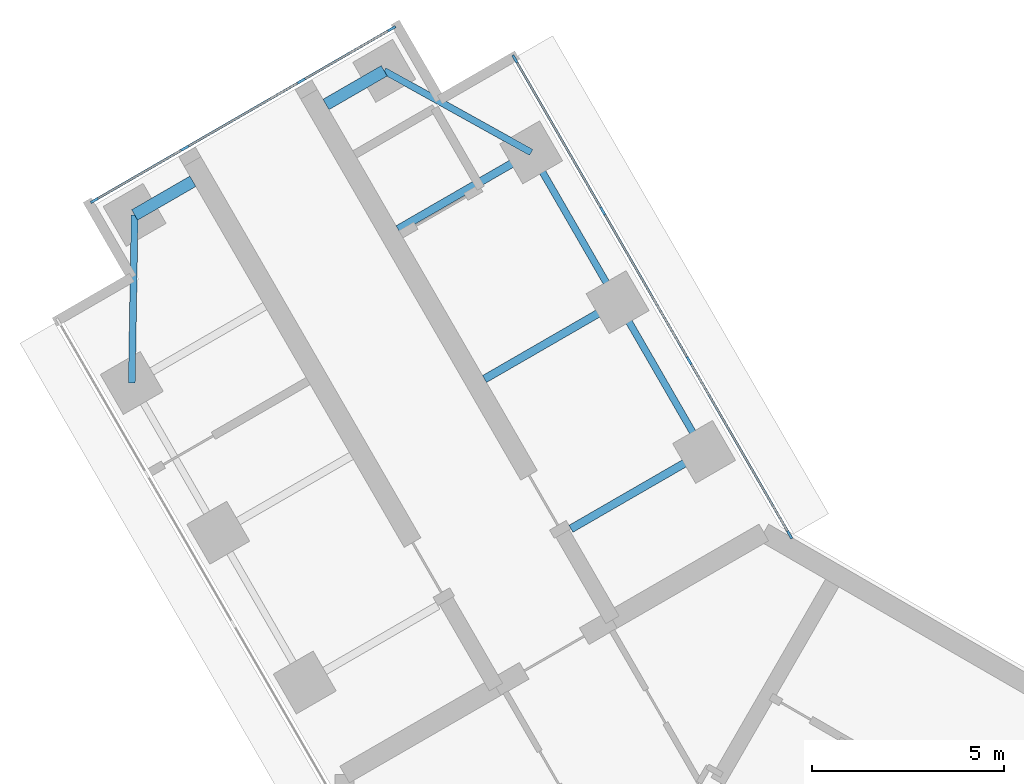
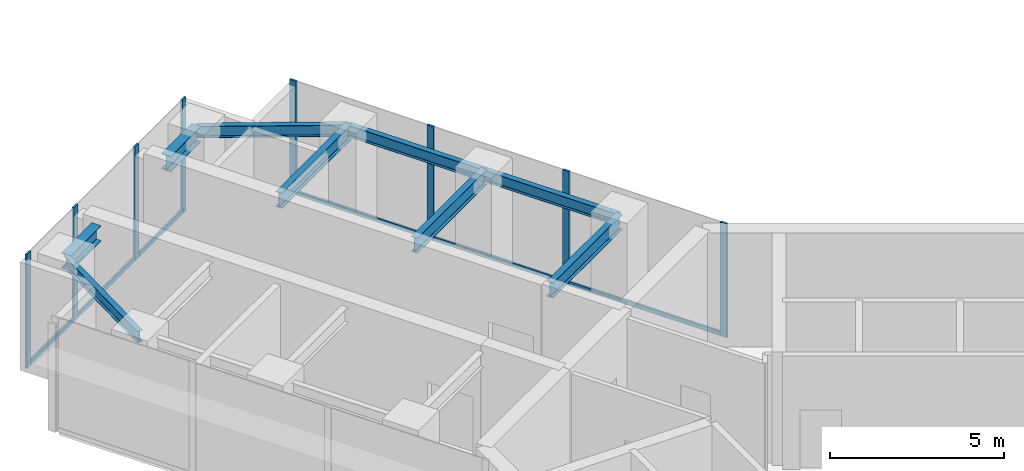
# One storey, part 6 of 17: 14 members, 9 beams, 2 elements without a shape of their own.
"""IFC4 building model written with IfcOpenShell, lengths in metres."""

from ifc_helpers import new_model, si_unit, direction, frame, origin, origin_2d, place, context, subcontext, project, spatial, rectangle, i_section, extrude, material, material_profile, profile_set, type_object, element, aggregate, save


model = new_model("IFC4")

# Units and contexts
model_context = context("Model", 3, precision=1e-05, world=origin(), true_north=direction((0.0, 1.0)))
body_context = subcontext(model_context, "Body", "Model", "MODEL_VIEW")
ifc_project = project(units=[si_unit("LENGTHUNIT", "METRE"), si_unit("AREAUNIT", "SQUARE_METRE"), si_unit("VOLUMEUNIT", "CUBIC_METRE"), si_unit("PLANEANGLEUNIT", "RADIAN"), si_unit("MASSUNIT", "GRAM", prefix="KILO")], contexts=[model_context])

# Site, building, storey
site_placement = place(None, origin())
site = spatial("IfcSite", under=ifc_project, at=site_placement, CompositionType="ELEMENT")
building_placement = place(site_placement, origin())
building = spatial("IfcBuilding", under=site, at=building_placement, Name="Upepo Twin Towers", CompositionType="ELEMENT")
storey_placement = place(building_placement, frame((0.0, 0.0, 174.5)))
storey = spatial("IfcBuildingStorey", under=building, at=storey_placement, Name="L42", CompositionType="ELEMENT", Elevation=174.5)

# Beams
ifc_material_1 = material(Name="Steel S355", Category="steel")
ifc_material_profile_1 = material_profile(ifc_material_1, i_section(OverallWidth=0.177978515625, OverallDepth=0.406494140625, WebThickness=0.0078125, FlangeThickness=0.0126953125, FilletRadius=0.01025390625, at=origin_2d()), Name="UB 406x178x60")
ifc_profile_set_1 = profile_set([ifc_material_profile_1], Name="Steel S355")
beam_type_1 = type_object("IfcBeamType", Name="Beam UB 406x178x60", PredefinedType="BEAM", material=ifc_profile_set_1)
beam_1_placement = place(storey_placement, frame((-16.446044921875, 16.485595703125, 3.5966796875), z_axis=(0.016803880528, 0.999858804832, 0.0), x_axis=(-0.999858804832, 0.016803880528, 0.0)))
element("IfcBeam", 1, at=beam_1_placement, inside=storey, type_object=beam_type_1, Name="T1 nose edge beam BL", PredefinedType="BEAM", context=body_context, shape_type="SweptSolid", body=[
    extrude(i_section(OverallWidth=0.177978515625, OverallDepth=0.406494140625, WebThickness=0.0078125, FlangeThickness=0.0126953125, FilletRadius=0.01025390625, at=origin_2d()), origin(), (0.0, 0.0, 1.0), 4.373291015625),
])
beam_2_placement = place(storey_placement, frame((-1.553955078125, 14.69140625, 3.5966796875), z_axis=(-0.500013631625, 0.866017533419, 0.0), x_axis=(-0.866017533419, -0.500013631625, 0.0)))
element("IfcBeam", 2, at=beam_2_placement, inside=storey, type_object=beam_type_1, Name="T1 edge beam BR 13.5-18.0", PredefinedType="BEAM", context=body_context, shape_type="SweptSolid", body=[
    extrude(i_section(OverallWidth=0.177978515625, OverallDepth=0.406494140625, WebThickness=0.0078125, FlangeThickness=0.0126953125, FilletRadius=0.01025390625, at=origin_2d()), origin(), (0.0, 0.0, 1.0), 4.499755859375),
])
beam_3_placement = place(storey_placement, frame((-3.803955078125, 18.58837890625, 3.5966796875), z_axis=(-0.499990139034, 0.866031096941, 0.0), x_axis=(-0.866031096941, -0.499990139034, 0.0)))
element("IfcBeam", 3, at=beam_3_placement, inside=storey, type_object=beam_type_1, Name="T1 edge beam BR 18.0-22.5", PredefinedType="BEAM", context=body_context, shape_type="SweptSolid", body=[
    extrude(i_section(OverallWidth=0.177978515625, OverallDepth=0.406494140625, WebThickness=0.0078125, FlangeThickness=0.0126953125, FilletRadius=0.01025390625, at=origin_2d()), origin(), (0.0, 0.0, 1.0), 4.5),
])
beam_4_placement = place(storey_placement, frame((-6.053955078125, 22.485595703125, 3.5966796875), z_axis=(-0.874312600038, 0.485363242752, 0.0), x_axis=(-0.485363242752, -0.874312600038, 0.0)))
element("IfcBeam", 4, at=beam_4_placement, inside=storey, type_object=beam_type_1, Name="T1 nose edge beam BR", PredefinedType="BEAM", context=body_context, shape_type="SweptSolid", body=[
    extrude(i_section(OverallWidth=0.177978515625, OverallDepth=0.406494140625, WebThickness=0.0078125, FlangeThickness=0.0126953125, FilletRadius=0.01025390625, at=origin_2d()), origin(), (0.0, 0.0, 1.0), 4.373046875),
])
ifc_material_2 = material(Name="Steel S355", Category="steel")
ifc_material_profile_2 = material_profile(ifc_material_2, i_section(OverallWidth=0.209228515625, OverallDepth=0.533203125, WebThickness=0.010009765625, FlangeThickness=0.015625, FilletRadius=0.0126953125, at=origin_2d()), Name="UB 533x210x92")
ifc_profile_set_2 = profile_set([ifc_material_profile_2], Name="Steel S355")
beam_type_2 = type_object("IfcBeamType", Name="Beam UB 533x210x92", PredefinedType="BEAM", material=ifc_profile_set_2)
for number, where, z_axis, x_axis, name in (
    (5, (-1.553955078125, 14.69140625, 3.533447265625), (-0.866026010844, -0.49999894854, 0.0), (0.49999894854, -0.866026010844, 0.0), "T1 girder BR at 13.5"),
    (6, (-3.803955078125, 18.58837890625, 3.533447265625), (-0.866026010844, -0.49999894854, 0.0), (0.49999894854, -0.866026010844, 0.0), "T1 girder BR at 18.0"),
    (7, (-6.053955078125, 22.485595703125, 3.533447265625), (-0.866026010844, -0.49999894854, 0.0), (0.49999894854, -0.866026010844, 0.0), "T1 girder BR at 22.5"),
):
    element("IfcBeam", number, at=place(storey_placement, frame(where, z_axis=z_axis, x_axis=x_axis)), inside=storey, type_object=beam_type_2, Name=name, PredefinedType="BEAM", context=body_context, shape_type="SweptSolid", body=[
        extrude(i_section(OverallWidth=0.209228515625, OverallDepth=0.533203125, WebThickness=0.010009765625, FlangeThickness=0.015625, FilletRadius=0.0126953125, at=origin_2d()), origin(), (0.0, 0.0, 1.0), 4.0),
    ])
ifc_material_3 = material(Name="Steel S355", Category="steel")
ifc_material_profile_3 = material_profile(ifc_material_3, i_section(OverallWidth=0.31201171875, OverallDepth=0.54345703125, WebThickness=0.0126953125, FlangeThickness=0.020263671875, FilletRadius=0.0126953125, at=origin_2d()), Name="UB 533x312x150")
ifc_profile_set_3 = profile_set([ifc_material_profile_3], Name="Steel S355")
beam_type_3 = type_object("IfcBeamType", Name="Beam UB 533x312x150", PredefinedType="BEAM", material=ifc_profile_set_3)
for number, where, z_axis, x_axis, name in (
    (8, (-16.37255859375, 20.858154296875, 3.5283203125), (0.866036909293, 0.499980071345, 0.0), (-0.499980071345, 0.866036909293, 0.0), "T1 nose beam BL"),
    (9, (-9.87744140625, 24.608154296875, 3.5283203125), (-0.866036909293, -0.499980071345, 0.0), (0.499980071345, -0.866036909293, 0.0), "T1 nose beam BR"),
):
    element("IfcBeam", number, at=place(storey_placement, frame(where, z_axis=z_axis, x_axis=x_axis)), inside=storey, type_object=beam_type_3, Name=name, PredefinedType="BEAM", context=body_context, shape_type="SweptSolid", body=[
        extrude(i_section(OverallWidth=0.31201171875, OverallDepth=0.54345703125, WebThickness=0.0126953125, FlangeThickness=0.020263671875, FilletRadius=0.0126953125, at=origin_2d()), origin(), (0.0, 0.0, 1.0), 1.75),
    ])

# Curtain wall, members
ifc_material_4 = material(Name="Aluminium and fritted glass", Category="aluminium")
curtain_wall_type = type_object("IfcCurtainWallType", Name="Tower curtain wall TW3, fritted glass", PredefinedType="NOTDEFINED", material=ifc_material_4)
curtain_wall_1_placement = place(storey_placement, origin())
curtain_wall_1 = element("IfcCurtainWall", 10, at=curtain_wall_1_placement, inside=storey, type_object=curtain_wall_type, Name="T1 L42 wing B flank R curtain wall", PredefinedType="NOTDEFINED")
ifc_material_5 = material(Name="Aluminium mullion", Category="aluminium")
ifc_material_profile_4 = material_profile(ifc_material_5, rectangle(XDim=0.06494140625, YDim=0.22509765625, at=origin_2d()), Name="MULLION 65x225")
ifc_profile_set_4 = profile_set([ifc_material_profile_4], Name="Aluminium mullion")
member_type_1 = type_object("IfcMemberType", Name="Mullion 65x225 TW3", PredefinedType="MULLION", material=ifc_profile_set_4)
member_1_placement = place(storey_placement, frame((-6.4765625, 24.91748046875, 0.0), z_axis=(0.0, 0.0, 1.0), x_axis=(0.866025388469, 0.500000026527, 0.0)))
member_1 = element("IfcMember", 11, at=member_1_placement, type_object=member_type_1, Name="T1 L42 wing B flank R curtain wall mullion 1", PredefinedType="MULLION", context=body_context, shape_type="SweptSolid", body=[
    extrude(rectangle(XDim=0.06494140625, YDim=0.22509765625, at=origin_2d()), origin(), (0.0, 0.0, 1.0), 4.0),
])
member_2_placement = place(storey_placement, frame((-4.192626953125, 20.9619140625, 0.0), z_axis=(0.0, 0.0, 1.0), x_axis=(0.866025388469, 0.500000026527, 0.0)))
member_2 = element("IfcMember", 12, at=member_2_placement, type_object=member_type_1, Name="T1 L42 wing B flank R curtain wall mullion 2", PredefinedType="MULLION", context=body_context, shape_type="SweptSolid", body=[
    extrude(rectangle(XDim=0.06494140625, YDim=0.22509765625, at=origin_2d()), origin(), (0.0, 0.0, 1.0), 4.0),
])
member_3_placement = place(storey_placement, frame((-1.942626953125, 17.06494140625, 0.0), z_axis=(0.0, 0.0, 1.0), x_axis=(0.866025388469, 0.500000026527, 0.0)))
member_3 = element("IfcMember", 13, at=member_3_placement, type_object=member_type_1, Name="T1 L42 wing B flank R curtain wall mullion 3", PredefinedType="MULLION", context=body_context, shape_type="SweptSolid", body=[
    extrude(rectangle(XDim=0.06494140625, YDim=0.22509765625, at=origin_2d()), origin(), (0.0, 0.0, 1.0), 4.0),
])
member_4_placement = place(storey_placement, frame((0.67236328125, 12.53515625, 0.0), z_axis=(0.0, 0.0, 1.0), x_axis=(0.866025388469, 0.500000026527, 0.0)))
member_4 = element("IfcMember", 14, at=member_4_placement, type_object=member_type_1, Name="T1 L42 wing B flank R curtain wall mullion 4", PredefinedType="MULLION", context=body_context, shape_type="SweptSolid", body=[
    extrude(rectangle(XDim=0.06494140625, YDim=0.22509765625, at=origin_2d()), origin(), (0.0, 0.0, 1.0), 4.0),
])

curtain_wall_2_placement = place(storey_placement, origin())
curtain_wall_2 = element("IfcCurtainWall", 15, at=curtain_wall_2_placement, inside=storey, type_object=curtain_wall_type, Name="T1 L42 wing B nose curtain wall", PredefinedType="NOTDEFINED")
member_5_placement = place(storey_placement, frame((-9.68115234375, 25.703125, 0.0), z_axis=(0.0, 0.0, 1.0), x_axis=(0.500000030502, -0.866025386174, 0.0)))
member_5 = element("IfcMember", 16, at=member_5_placement, type_object=member_type_1, Name="T1 L42 wing B nose curtain wall mullion 1", PredefinedType="MULLION", context=body_context, shape_type="SweptSolid", body=[
    extrude(rectangle(XDim=0.06494140625, YDim=0.22509765625, at=origin_2d()), origin(), (0.0, 0.0, 1.0), 4.0),
])
member_6_placement = place(storey_placement, frame((-12.034423828125, 24.34423828125, 0.0), z_axis=(0.0, 0.0, 1.0), x_axis=(0.500000030502, -0.866025386174, 0.0)))
member_6 = element("IfcMember", 17, at=member_6_placement, type_object=member_type_1, Name="T1 L42 wing B nose curtain wall mullion 2", PredefinedType="MULLION", context=body_context, shape_type="SweptSolid", body=[
    extrude(rectangle(XDim=0.06494140625, YDim=0.22509765625, at=origin_2d()), origin(), (0.0, 0.0, 1.0), 4.0),
])
member_7_placement = place(storey_placement, frame((-15.0654296875, 22.59423828125, 0.0), z_axis=(0.0, 0.0, 1.0), x_axis=(0.500000030502, -0.866025386174, 0.0)))
member_7 = element("IfcMember", 18, at=member_7_placement, type_object=member_type_1, Name="T1 L42 wing B nose curtain wall mullion 3", PredefinedType="MULLION", context=body_context, shape_type="SweptSolid", body=[
    extrude(rectangle(XDim=0.06494140625, YDim=0.22509765625, at=origin_2d()), origin(), (0.0, 0.0, 1.0), 4.0),
])
member_8_placement = place(storey_placement, frame((-17.4189453125, 21.235595703125, 0.0), z_axis=(0.0, 0.0, 1.0), x_axis=(0.500000030502, -0.866025386174, 0.0)))
member_8 = element("IfcMember", 19, at=member_8_placement, type_object=member_type_1, Name="T1 L42 wing B nose curtain wall mullion 4", PredefinedType="MULLION", context=body_context, shape_type="SweptSolid", body=[
    extrude(rectangle(XDim=0.06494140625, YDim=0.22509765625, at=origin_2d()), origin(), (0.0, 0.0, 1.0), 4.0),
])

# Member
ifc_material_6 = material(Name="Aluminium transom", Category="aluminium")
ifc_material_profile_5 = material_profile(ifc_material_6, rectangle(XDim=0.06494140625, YDim=0.14990234375, at=origin_2d()), Name="TRANSOM 65x150")
ifc_profile_set_5 = profile_set([ifc_material_profile_5], Name="Aluminium transom")
member_type_2 = type_object("IfcMemberType", Name="Transom 65x150 TW3", PredefinedType="USERDEFINED", material=ifc_profile_set_5)
member_9_placement = place(storey_placement, frame((-6.460205078125, 24.889404296875, 0.074951171875), z_axis=(0.500005646842, -0.866022143554, 0.0), x_axis=(0.866022143554, 0.500005646842, 0.0)))
member_9 = element("IfcMember", 20, at=member_9_placement, type_object=member_type_2, Name="T1 L42 wing B flank R curtain wall transom 1", ObjectType="TRANSOM", PredefinedType="USERDEFINED", context=body_context, shape_type="SweptSolid", body=[
    extrude(rectangle(XDim=0.06494140625, YDim=0.14990234375, at=origin_2d()), origin(), (0.0, 0.0, 1.0), 4.50244140625),
])

member_10_placement = place(storey_placement, frame((-4.176513671875, 20.933837890625, 0.074951171875), z_axis=(0.500005184116, -0.866022410713, 0.0), x_axis=(0.866022410713, 0.500005184116, 0.0)))
member_10 = element("IfcMember", 21, at=member_10_placement, type_object=member_type_2, Name="T1 L42 wing B flank R curtain wall transom 2", ObjectType="TRANSOM", PredefinedType="USERDEFINED", context=body_context, shape_type="SweptSolid", body=[
    extrude(rectangle(XDim=0.06494140625, YDim=0.14990234375, at=origin_2d()), origin(), (0.0, 0.0, 1.0), 4.43505859375),
])

member_11_placement = place(storey_placement, frame((-1.926513671875, 17.036865234375, 0.074951171875), z_axis=(0.500007480159, -0.86602108507, 0.0), x_axis=(0.86602108507, 0.500007480159, 0.0)))
member_11 = element("IfcMember", 22, at=member_11_placement, type_object=member_type_2, Name="T1 L42 wing B flank R curtain wall transom 3", ObjectType="TRANSOM", PredefinedType="USERDEFINED", context=body_context, shape_type="SweptSolid", body=[
    extrude(rectangle(XDim=0.06494140625, YDim=0.14990234375, at=origin_2d()), origin(), (0.0, 0.0, 1.0), 5.16552734375),
])

aggregate(curtain_wall_1, [member_1, member_2, member_3, member_4, member_9, member_10, member_11])

member_12_placement = place(storey_placement, frame((-9.709228515625, 25.686767578125, 0.074951171875), z_axis=(-0.866036909293, -0.499980071345, 0.0), x_axis=(0.499980071345, -0.866036909293, 0.0)))
member_12 = element("IfcMember", 23, at=member_12_placement, type_object=member_type_2, Name="T1 L42 wing B nose curtain wall transom 1", ObjectType="TRANSOM", PredefinedType="USERDEFINED", context=body_context, shape_type="SweptSolid", body=[
    extrude(rectangle(XDim=0.06494140625, YDim=0.14990234375, at=origin_2d()), origin(), (0.0, 0.0, 1.0), 2.65234375),
])

member_13_placement = place(storey_placement, frame((-12.0625, 24.328125, 0.074951171875), z_axis=(-0.866025804792, -0.499999305434, 0.0), x_axis=(0.499999305434, -0.866025804792, 0.0)))
member_13 = element("IfcMember", 24, at=member_13_placement, type_object=member_type_2, Name="T1 L42 wing B nose curtain wall transom 2", ObjectType="TRANSOM", PredefinedType="USERDEFINED", context=body_context, shape_type="SweptSolid", body=[
    extrude(rectangle(XDim=0.06494140625, YDim=0.14990234375, at=origin_2d()), origin(), (0.0, 0.0, 1.0), 3.43505859375),
])

member_14_placement = place(storey_placement, frame((-15.09375, 22.578125, 0.074951171875), z_axis=(-0.865997053448, -0.500049101008, 0.0), x_axis=(0.500049101008, -0.865997053448, 0.0)))
member_14 = element("IfcMember", 25, at=member_14_placement, type_object=member_type_2, Name="T1 L42 wing B nose curtain wall transom 3", ObjectType="TRANSOM", PredefinedType="USERDEFINED", context=body_context, shape_type="SweptSolid", body=[
    extrude(rectangle(XDim=0.06494140625, YDim=0.14990234375, at=origin_2d()), origin(), (0.0, 0.0, 1.0), 2.652587890625),
])

aggregate(curtain_wall_2, [member_5, member_6, member_7, member_8, member_12, member_13, member_14])

save(model, "model.ifc")
